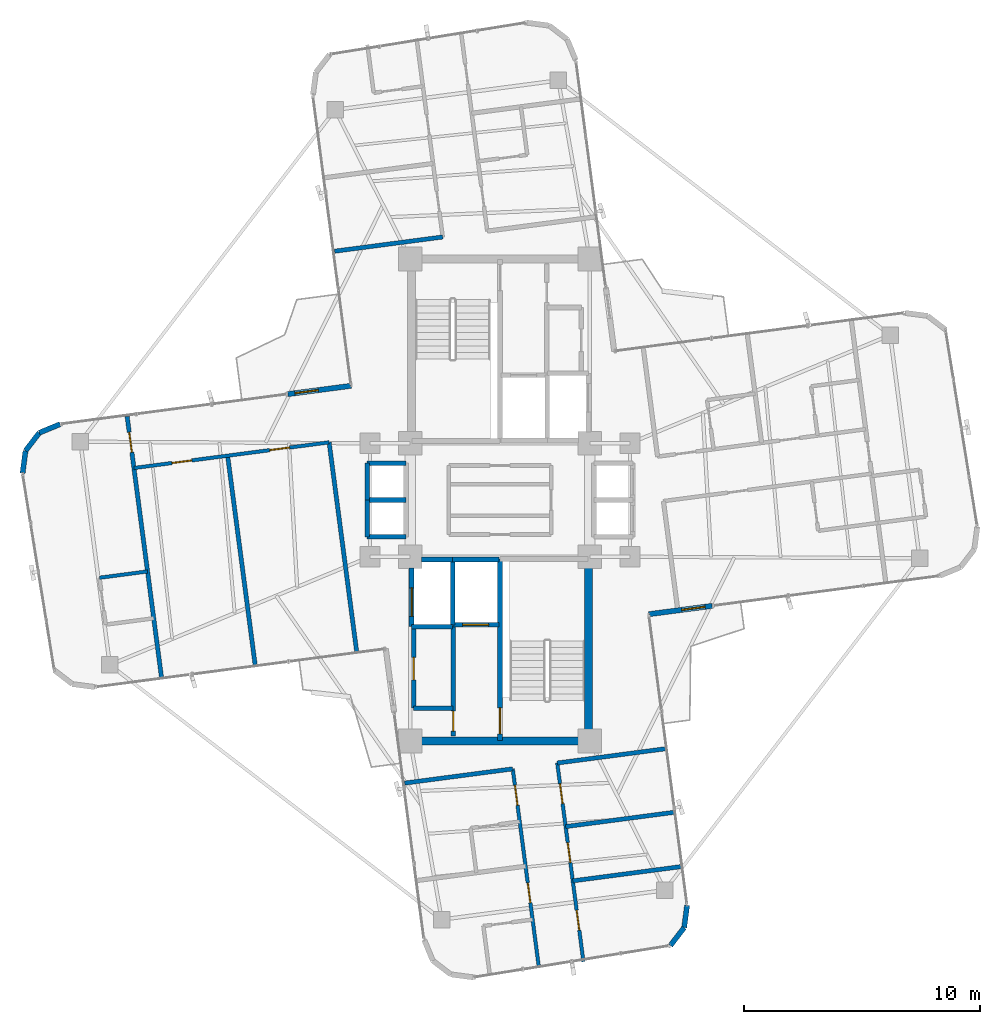
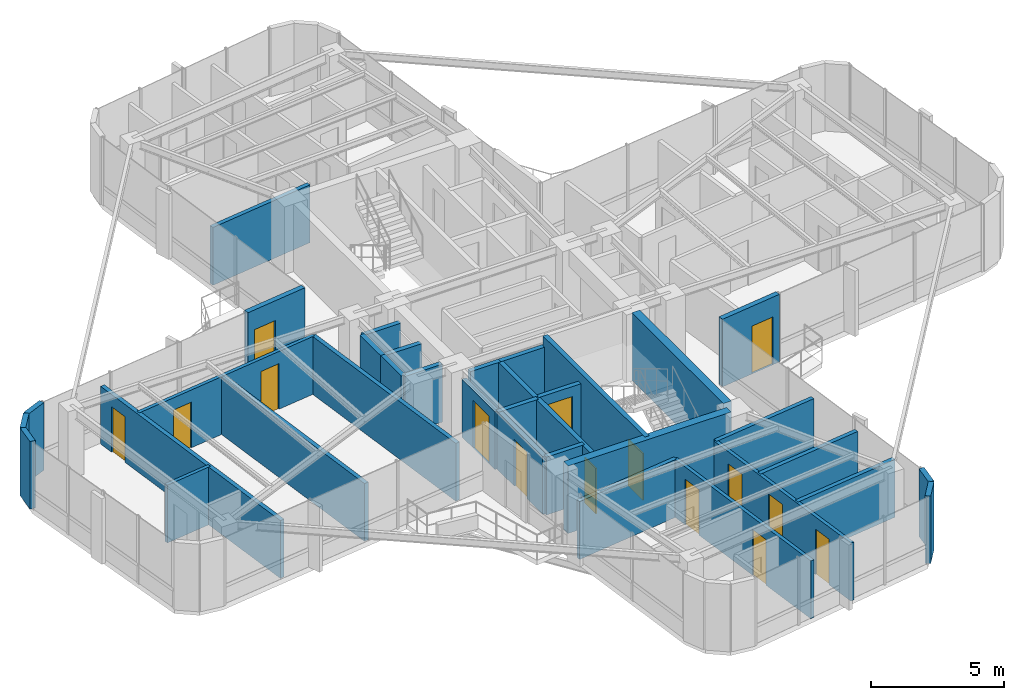
# One storey, part 19 of 22: 36 walls, 15 doors, 15 openings.
"""IFC4 building model written with IfcOpenShell, lengths in metres."""

from ifc_helpers import new_model, si_unit, direction, frame, frame_2d, origin, origin_2d, place, context, subcontext, project, spatial, rectangle, extrude, source, transform, mapped, material, layer, layer_set, type_object, element, fill, save


model = new_model("IFC4")

# Units and contexts
model_context = context("Model", 3, precision=1e-05, world=origin(), true_north=direction((0.0, 1.0)))
body_context = subcontext(model_context, "Body", "Model", "MODEL_VIEW")
ifc_project = project(units=[si_unit("LENGTHUNIT", "METRE"), si_unit("AREAUNIT", "SQUARE_METRE"), si_unit("VOLUMEUNIT", "CUBIC_METRE"), si_unit("PLANEANGLEUNIT", "RADIAN"), si_unit("MASSUNIT", "GRAM", prefix="KILO")], contexts=[model_context])

# Site, building, storey
site_placement = place(None, origin())
site = spatial("IfcSite", under=ifc_project, at=site_placement, CompositionType="ELEMENT")
building_placement = place(site_placement, origin())
building = spatial("IfcBuilding", under=site, at=building_placement, Name="Sahyath Konkavel Grand Hotel", CompositionType="ELEMENT")
storey_placement = place(building_placement, frame((0.0, 0.0, 247.85009765625)))
storey = spatial("IfcBuildingStorey", under=building, at=storey_placement, Name="L69", CompositionType="ELEMENT", Elevation=247.85009765625)

# Walls
ifc_material_1 = material(Name="Concrete C40/50", Category="concrete")
ifc_layer_1 = layer(ifc_material_1, 0.35009765625)
ifc_layer_set_1 = layer_set([ifc_layer_1], Name="Concrete C40/50")
wall_type_1 = type_object("IfcWallType", Name="CWALL-350", PredefinedType="SHEAR", material=ifc_layer_set_1)
wall_1_placement = place(storey_placement, frame((-3.550048828125, -10.199951171875, 0.0), z_axis=(0.0, 0.0, 1.0), x_axis=(1.0, 0.0, 0.0)))
element("IfcWall", 1, at=wall_1_placement, inside=storey, type_object=wall_type_1, Name="L69 South Core Shear Wall S", PredefinedType="SHEAR", context=body_context, shape_type="SweptSolid", body=[
    extrude(rectangle(XDim=7.10009765625, YDim=0.35009765625, at=frame_2d((3.550048828125, 0.0))), origin(), (0.0, 0.0, 1.0), 3.10986328125),
])
wall_2_placement = place(storey_placement, frame((3.739990234375, -9.75, 0.0), z_axis=(0.0, 0.0, 1.0), x_axis=(0.0, 1.0, 0.0)))
element("IfcWall", 2, at=wall_2_placement, inside=storey, type_object=wall_type_1, Name="L69 South Core Shear Wall E", PredefinedType="SHEAR", context=body_context, shape_type="SweptSolid", body=[
    extrude(rectangle(XDim=6.89990234375, YDim=0.35009765625, at=frame_2d((3.449951171875, 0.0))), origin(), (0.0, 0.0, 1.0), 3.10986328125),
])

# Wall, opening, door
ifc_material_2 = material(Name="Warm Buff Sandstone Insulated Concrete C40/50", Category="masonry")
ifc_layer_2 = layer(ifc_material_2, 0.219970703125)
ifc_layer_set_2 = layer_set([ifc_layer_2], Name="Warm Buff Sandstone Insulated Concrete C40/50")
wall_type_2 = type_object("IfcWallType", Name="WLL-BALC-THRESH", PredefinedType="STANDARD", material=ifc_layer_set_2)
wall_3_placement = place(storey_placement, frame((6.297607421875, -4.832275390625, 0.0), z_axis=(0.0, 0.0, 1.0), x_axis=(0.991451525486, 0.130475563272, 0.0)))
wall_3 = element("IfcWall", 3, at=wall_3_placement, inside=storey, type_object=wall_type_2, Name="L69 Winter-Garden Threshold Wall 0", PredefinedType="STANDARD", context=body_context, shape_type="SweptSolid", body=[
    extrude(rectangle(XDim=2.7001953125, YDim=0.219970703125, at=frame_2d((1.35009765625, 0.0))), origin(), (0.0, 0.0, 1.0), 3.10986328125),
])
opening_1_placement = place(wall_3_placement, frame((1.39990234375, 0.0, 0.0)))
opening_1 = element("IfcOpeningElement", 4, at=opening_1_placement, cuts=wall_3, Name="Opening D-TR1", PredefinedType="OPENING", context=body_context, shape_type="SweptSolid", body=[
    extrude(rectangle(XDim=1.0, YDim=2.199951171875, at=frame_2d((0.5, 1.10009765625))), frame((0.0, 0.1201171875, 0.0), z_axis=(0.0, -1.0, 0.0), x_axis=(1.0, 0.0, 0.0)), (0.0, 0.0, 1.0), 0.239990234375),
])
ifc_material_3 = material(Name="Anodised Bronze Aluminium & Low-E Glazing", Category="aluminium")
door_type_1 = type_object("IfcDoorType", Name="DR-TERRACE-1000", OperationType="NOTDEFINED", PredefinedType="DOOR", material=ifc_material_3)
shared_shape_1 = source(origin(), body_context, "Body", "SweptSolid", [
    extrude(rectangle(XDim=1.0, YDim=0.050048828125, at=origin_2d()), origin(), (0.0, 0.0, 1.0), 2.199951171875),
])
door_1_placement = place(opening_1_placement, frame((0.5, 0.0, 0.0)))
door_1 = element("IfcDoor", 5, at=door_1_placement, inside=storey, type_object=door_type_1, Name="L69 Winter-Garden Terrace Door 0", OperationType="SINGLE_SWING_LEFT", OverallHeight=2.199951171875, OverallWidth=1.0, PredefinedType="DOOR", context=body_context, shape_type="MappedRepresentation", body=[
    mapped(shared_shape_1, transform((0.0, 0.0, 0.0), scale=1.0)),
])
fill(opening_1, door_1)

wall_4_placement = place(storey_placement, frame((-6.297607421875, 4.832275390625, 0.0), z_axis=(0.0, 0.0, 1.0), x_axis=(-0.991451525486, -0.130475563272, 0.0)))
wall_4 = element("IfcWall", 6, at=wall_4_placement, inside=storey, type_object=wall_type_2, Name="L69 Winter-Garden Threshold Wall 16", PredefinedType="STANDARD", context=body_context, shape_type="SweptSolid", body=[
    extrude(rectangle(XDim=2.7001953125, YDim=0.219970703125, at=frame_2d((1.35009765625, 0.0))), origin(), (0.0, 0.0, 1.0), 3.10986328125),
])
opening_2_placement = place(wall_4_placement, frame((1.39990234375, 0.0, 0.0)))
opening_2 = element("IfcOpeningElement", 7, at=opening_2_placement, cuts=wall_4, Name="Opening D-TR1", PredefinedType="OPENING", context=body_context, shape_type="SweptSolid", body=[
    extrude(rectangle(XDim=1.0, YDim=2.199951171875, at=frame_2d((0.5, 1.10009765625))), frame((0.0, 0.1201171875, 0.0), z_axis=(0.0, -1.0, 0.0), x_axis=(1.0, 0.0, 0.0)), (0.0, 0.0, 1.0), 0.239990234375),
])
door_2_placement = place(opening_2_placement, frame((0.5, 0.0, 0.0)))
door_2 = element("IfcDoor", 8, at=door_2_placement, inside=storey, type_object=door_type_1, Name="L69 Winter-Garden Terrace Door 16", OperationType="SINGLE_SWING_LEFT", OverallHeight=2.199951171875, OverallWidth=1.0, PredefinedType="DOOR", context=body_context, shape_type="MappedRepresentation", body=[
    mapped(shared_shape_1, transform((0.0, 0.0, 0.0), scale=1.0)),
])
fill(opening_2, door_2)

# Walls
for number, where, z_axis, x_axis, name in (
    (9, (-18.6083984375, 3.211669921875, 0.0), (0.0, 0.0, 1.0), (-0.923889442397, -0.382659506909, 0.0), "L69 Rounded Corner Sandstone Pier 17"),
    (10, (-19.4931640625, 2.84521484375, 0.0), (0.0, 0.0, 1.0), (-0.608774010809, -0.793343685778, 0.0), "L69 Rounded Corner Sandstone Pier 18"),
    (11, (-20.076171875, 2.08544921875, 0.0), (0.0, 0.0, 1.0), (-0.130527053476, -0.991444747987, 0.0), "L69 Rounded Corner Sandstone Pier 19"),
    (12, (7.21044921875, -18.852294921875, 0.0), (0.0, 0.0, 1.0), (0.608774010809, 0.793343685778, 0.0), "L69 Rounded Corner Sandstone Pier 29"),
    (13, (7.79345703125, -18.092529296875, 0.0), (0.0, 0.0, 1.0), (0.130527053476, 0.991444747987, 0.0), "L69 Rounded Corner Sandstone Pier 30"),
):
    element("IfcWall", number, at=place(storey_placement, frame(where, z_axis=z_axis, x_axis=x_axis)), inside=storey, type_object=wall_type_2, Name=name, PredefinedType="STANDARD", context=body_context, shape_type="SweptSolid", body=[
        extrude(rectangle(XDim=0.957763671875, YDim=0.219970703125, at=frame_2d((0.47900390625, 0.0))), origin(), (0.0, 0.0, 1.0), 3.10986328125),
    ])

# Wall, opening, door
ifc_layer_3 = layer(ifc_material_1, 0.199951171875)
ifc_layer_set_3 = layer_set([ifc_layer_3], Name="Concrete C40/50")
wall_type_3 = type_object("IfcWallType", Name="WLL-CORE-200", PredefinedType="SOLIDWALL", material=ifc_layer_set_3)
wall_5_placement = place(storey_placement, frame((0.0, -10.179931640625, 0.0), z_axis=(0.0, 0.0, 1.0), x_axis=(0.0, 1.0, 0.0)))
wall_5 = element("IfcWall", 14, at=wall_5_placement, inside=storey, type_object=wall_type_3, Name="L69 Stair ST-2 Shaft Wall W", PredefinedType="SOLIDWALL", context=body_context, shape_type="SweptSolid", body=[
    extrude(rectangle(XDim=7.679931640625, YDim=0.199951171875, at=frame_2d((3.83984375, 0.0))), origin(), (0.0, 0.0, 1.0), 3.10986328125),
])
opening_3_placement = place(wall_5_placement, frame((0.280029296875, 0.0, 0.0)))
opening_3 = element("IfcOpeningElement", 15, at=opening_3_placement, cuts=wall_5, Name="Opening D-F12B", PredefinedType="OPENING", context=body_context, shape_type="SweptSolid", body=[
    extrude(rectangle(XDim=1.10009765625, YDim=2.14990234375, at=frame_2d((0.550048828125, 1.074951171875))), frame((0.0, 0.10986328125, 0.0), z_axis=(0.0, -1.0, 0.0), x_axis=(1.0, 0.0, 0.0)), (0.0, 0.0, 1.0), 0.219970703125),
])
ifc_material_4 = material(Name="Steel E350 Smokeproof Fire Door", Category="steel")
door_type_2 = type_object("IfcDoorType", Name="DR-FD120-1100", OperationType="NOTDEFINED", PredefinedType="DOOR", material=ifc_material_4)
shared_shape_2 = source(origin(), body_context, "Body", "SweptSolid", [
    extrude(rectangle(XDim=1.10009765625, YDim=0.050048828125, at=origin_2d()), origin(), (0.0, 0.0, 1.0), 2.14990234375),
])
door_3_placement = place(opening_3_placement, frame((0.550048828125, 0.0, 0.0)))
door_3 = element("IfcDoor", 16, at=door_3_placement, inside=storey, type_object=door_type_2, Name="L69 Stair ST-2 Fire Door", OperationType="SINGLE_SWING_RIGHT", OverallHeight=2.14990234375, OverallWidth=1.10009765625, PredefinedType="DOOR", context=body_context, shape_type="MappedRepresentation", body=[
    mapped(shared_shape_2, transform((0.0, 0.0, 0.0), scale=1.0)),
])
fill(opening_3, door_3)

wall_6_placement = place(storey_placement, frame((-1.97998046875, -9.97998046875, 0.0), z_axis=(0.0, 0.0, 1.0), x_axis=(0.0, 1.0, 0.0)))
wall_6 = element("IfcWall", 17, at=wall_6_placement, inside=storey, type_object=wall_type_3, Name="L69 South Firefighting Lobby Wall W", PredefinedType="SOLIDWALL", context=body_context, shape_type="SweptSolid", body=[
    extrude(rectangle(XDim=4.659912109375, YDim=0.199951171875, at=frame_2d((2.330078125, 0.0))), origin(), (0.0, 0.0, 1.0), 2.659912109375),
])
opening_4_placement = place(wall_6_placement, frame((0.199951171875, 0.0, 0.0)))
opening_4 = element("IfcOpeningElement", 18, at=opening_4_placement, cuts=wall_6, Name="Opening D-F12D", PredefinedType="OPENING", context=body_context, shape_type="SweptSolid", body=[
    extrude(rectangle(XDim=0.85009765625, YDim=2.10009765625, at=frame_2d((0.425048828125, 1.050048828125))), frame((0.0, 0.10986328125, 0.0), z_axis=(0.0, -1.0, 0.0), x_axis=(1.0, 0.0, 0.0)), (0.0, 0.0, 1.0), 0.219970703125),
])
ifc_material_5 = material(Name="Steel E350 Core Fire Door", Category="steel")
door_type_3 = type_object("IfcDoorType", Name="DR-FD120-850", OperationType="NOTDEFINED", PredefinedType="DOOR", material=ifc_material_5)
shared_shape_3 = source(origin(), body_context, "Body", "SweptSolid", [
    extrude(rectangle(XDim=0.85009765625, YDim=0.050048828125, at=origin_2d()), origin(), (0.0, 0.0, 1.0), 2.10009765625),
])
door_4_placement = place(opening_4_placement, frame((0.425048828125, 0.0, 0.0)))
door_4 = element("IfcDoor", 19, at=door_4_placement, inside=storey, type_object=door_type_3, Name="L69 South Firefighting Lobby Door", OperationType="SINGLE_SWING_RIGHT", OverallHeight=2.10009765625, OverallWidth=0.85009765625, PredefinedType="DOOR", context=body_context, shape_type="MappedRepresentation", body=[
    mapped(shared_shape_3, transform((0.0, 0.0, 0.0), scale=1.0)),
])
fill(opening_4, door_4)

# Walls
wall_7_placement = place(storey_placement, frame((-2.0, -5.280029296875, 0.0), z_axis=(0.0, 0.0, 1.0), x_axis=(0.0, 1.0, 0.0)))
element("IfcWall", 20, at=wall_7_placement, inside=storey, type_object=wall_type_3, Name="L69 Partition SH-FFL2-W", PredefinedType="SOLIDWALL", context=body_context, shape_type="SweptSolid", body=[
    extrude(rectangle(XDim=2.780029296875, YDim=0.199951171875, at=frame_2d((1.39013671875, 0.0))), origin(), (0.0, 0.0, 1.0), 2.659912109375),
])
wall_8_placement = place(storey_placement, frame((-2.0, -2.52001953125, 0.0), z_axis=(0.0, 0.0, 1.0), x_axis=(1.0, 0.0, 0.0)))
element("IfcWall", 21, at=wall_8_placement, inside=storey, type_object=wall_type_3, Name="L69 Partition SH-FFL2-N", PredefinedType="SOLIDWALL", context=body_context, shape_type="SweptSolid", body=[
    extrude(rectangle(XDim=1.949951171875, YDim=0.199951171875, at=frame_2d((0.97509765625, 0.0))), origin(), (0.0, 0.0, 1.0), 2.659912109375),
])

# Wall, opening, door
wall_9_placement = place(storey_placement, frame((-1.97998046875, -5.280029296875, 0.0), z_axis=(0.0, 0.0, 1.0), x_axis=(1.0, 0.0, 0.0)))
wall_9 = element("IfcWall", 22, at=wall_9_placement, inside=storey, type_object=wall_type_3, Name="L69 Partition SH-FFL2-S", PredefinedType="SOLIDWALL", context=body_context, shape_type="SweptSolid", body=[
    extrude(rectangle(XDim=1.929931640625, YDim=0.199951171875, at=frame_2d((0.96484375, 0.0))), origin(), (0.0, 0.0, 1.0), 2.659912109375),
])
opening_5_placement = place(wall_9_placement, frame((0.39990234375, 0.0, 0.0)))
opening_5 = element("IfcOpeningElement", 23, at=opening_5_placement, cuts=wall_9, Name="Opening LD-11", PredefinedType="OPENING", context=body_context, shape_type="SweptSolid", body=[
    extrude(rectangle(XDim=1.10009765625, YDim=2.199951171875, at=frame_2d((0.550048828125, 1.10009765625))), frame((0.0, 0.10986328125, 0.0), z_axis=(0.0, -1.0, 0.0), x_axis=(1.0, 0.0, 0.0)), (0.0, 0.0, 1.0), 0.219970703125),
])
ifc_material_6 = material(Name="Bronze Lift Landing Door 1100")
door_type_4 = type_object("IfcDoorType", Name="DR-LIFT-1100", OperationType="DOUBLE_DOOR_SLIDING", PredefinedType="DOOR", material=ifc_material_6)
shared_shape_4 = source(origin(), body_context, "Body", "SweptSolid", [
    extrude(rectangle(XDim=1.10009765625, YDim=0.050048828125, at=origin_2d()), origin(), (0.0, 0.0, 1.0), 2.199951171875),
])
door_5_placement = place(opening_5_placement, frame((0.550048828125, 0.0, 0.0)))
door_5 = element("IfcDoor", 24, at=door_5_placement, inside=storey, type_object=door_type_4, Name="L69 Lift FFL-2 Landing Door", OperationType="DOUBLE_DOOR_SLIDING", OverallHeight=2.199951171875, OverallWidth=1.10009765625, PredefinedType="DOOR", context=body_context, shape_type="MappedRepresentation", body=[
    mapped(shared_shape_4, transform((0.0, 0.0, 0.0), scale=1.0)),
])
fill(opening_5, door_5)

# Walls
wall_10_placement = place(storey_placement, frame((-3.320068359375, -2.52001953125, 0.0), z_axis=(0.0, 0.0, 1.0), x_axis=(1.0, 0.0, 0.0)))
element("IfcWall", 25, at=wall_10_placement, inside=storey, type_object=wall_type_3, Name="L69 Partition SH-SVL2-N", PredefinedType="SOLIDWALL", context=body_context, shape_type="SweptSolid", body=[
    extrude(rectangle(XDim=1.320068359375, YDim=0.199951171875, at=frame_2d((0.66015625, 0.0))), origin(), (0.0, 0.0, 1.0), 2.659912109375),
])
wall_11_placement = place(storey_placement, frame((-3.739990234375, -5.360107421875, 0.0), z_axis=(0.0, 0.0, 1.0), x_axis=(1.0, 0.0, 0.0)))
element("IfcWall", 26, at=wall_11_placement, inside=storey, type_object=wall_type_3, Name="L69 Partition SH-SVL2-S", PredefinedType="SOLIDWALL", context=body_context, shape_type="SweptSolid", body=[
    extrude(rectangle(XDim=1.739990234375, YDim=0.199951171875, at=frame_2d((0.8701171875, 0.0))), origin(), (0.0, 0.0, 1.0), 2.659912109375),
])

# Wall, opening, door
wall_12_placement = place(storey_placement, frame((-3.739990234375, -5.360107421875, 0.0), z_axis=(0.0, 0.0, 1.0), x_axis=(0.0, 1.0, 0.0)))
wall_12 = element("IfcWall", 27, at=wall_12_placement, inside=storey, type_object=wall_type_3, Name="L69 Partition SH-SVL2-W", PredefinedType="SOLIDWALL", context=body_context, shape_type="SweptSolid", body=[
    extrude(rectangle(XDim=2.480224609375, YDim=0.199951171875, at=frame_2d((1.240234375, 0.0))), origin(), (0.0, 0.0, 1.0), 2.659912109375),
])
opening_6_placement = place(wall_12_placement, frame((0.43994140625, 0.0, 0.0)))
opening_6 = element("IfcOpeningElement", 28, at=opening_6_placement, cuts=wall_12, Name="Opening LD-12", PredefinedType="OPENING", context=body_context, shape_type="SweptSolid", body=[
    extrude(rectangle(XDim=1.199951171875, YDim=2.199951171875, at=frame_2d((0.60009765625, 1.10009765625))), frame((0.0, 0.10986328125, 0.0), z_axis=(0.0, -1.0, 0.0), x_axis=(1.0, 0.0, 0.0)), (0.0, 0.0, 1.0), 0.219970703125),
])
ifc_material_7 = material(Name="Stainless Steel Lift Landing Door 1200", Category="steel")
door_type_5 = type_object("IfcDoorType", Name="DR-LIFT-1200", OperationType="DOUBLE_DOOR_SLIDING", PredefinedType="DOOR", material=ifc_material_7)
shared_shape_5 = source(origin(), body_context, "Body", "SweptSolid", [
    extrude(rectangle(XDim=1.199951171875, YDim=0.050048828125, at=origin_2d()), origin(), (0.0, 0.0, 1.0), 2.199951171875),
])
door_6_placement = place(opening_6_placement, frame((0.60009765625, 0.0, 0.0)))
door_6 = element("IfcDoor", 29, at=door_6_placement, inside=storey, type_object=door_type_5, Name="L69 Service Lift SVL-2 Landing Door", OperationType="DOUBLE_DOOR_SLIDING", OverallHeight=2.199951171875, OverallWidth=1.199951171875, PredefinedType="DOOR", context=body_context, shape_type="MappedRepresentation", body=[
    mapped(shared_shape_5, transform((0.0, 0.0, 0.0), scale=1.0)),
])
fill(opening_6, door_6)

# Walls
for number, where, z_axis, x_axis, name in (
    (30, (-5.6201171875, 1.56005859375, 0.0), (0.0, 0.0, 1.0), (1.0, 0.0, 0.0), "L69 Partition SH-SL12-N"),
    (31, (-5.6201171875, -1.56005859375, 0.0), (0.0, 0.0, 1.0), (1.0, 0.0, 0.0), "L69 Partition SH-SL12-S"),
    (32, (-5.6201171875, 0.0, 0.0), (0.0, 0.0, 1.0), (1.0, 0.0, 0.0), "L69 Partition SH-SL12-M"),
):
    element("IfcWall", number, at=place(storey_placement, frame(where, z_axis=z_axis, x_axis=x_axis)), inside=storey, type_object=wall_type_3, Name=name, PredefinedType="SOLIDWALL", context=body_context, shape_type="SweptSolid", body=[
        extrude(rectangle(XDim=1.64013671875, YDim=0.199951171875, at=frame_2d((0.820068359375, 0.0))), origin(), (0.0, 0.0, 1.0), 2.659912109375),
    ])
for number, where, z_axis, x_axis, name in (
    (33, (-5.6201171875, 0.0, 0.0), (0.0, 0.0, 1.0), (0.0, 1.0, 0.0), "L69 Partition SH-SL1-W"),
    (34, (-5.6201171875, -1.56005859375, 0.0), (0.0, 0.0, 1.0), (0.0, 1.0, 0.0), "L69 Partition SH-SL2-W"),
):
    element("IfcWall", number, at=place(storey_placement, frame(where, z_axis=z_axis, x_axis=x_axis)), inside=storey, type_object=wall_type_3, Name=name, PredefinedType="SOLIDWALL", context=body_context, shape_type="SweptSolid", body=[
        extrude(rectangle(XDim=1.56005859375, YDim=0.199951171875, at=frame_2d((0.780029296875, 0.0))), origin(), (0.0, 0.0, 1.0), 2.659912109375),
    ])

# Wall, opening, door
wall_13_placement = place(storey_placement, frame((-3.64990234375, -8.81005859375, 0.0), z_axis=(0.0, 0.0, 1.0), x_axis=(0.0, 1.0, 0.0)))
wall_13 = element("IfcWall", 35, at=wall_13_placement, inside=storey, type_object=wall_type_3, Name="L69 Reclaimed South Core Wall W", PredefinedType="SOLIDWALL", context=body_context, shape_type="SweptSolid", body=[
    extrude(rectangle(XDim=3.43017578125, YDim=0.199951171875, at=frame_2d((1.715087890625, 0.0))), origin(), (0.0, 0.0, 1.0), 2.659912109375),
])
opening_7_placement = place(wall_13_placement, frame((1.199951171875, 0.0, 0.0)))
opening_7 = element("IfcOpeningElement", 36, at=opening_7_placement, cuts=wall_13, Name="Opening D-AC95", PredefinedType="OPENING", context=body_context, shape_type="SweptSolid", body=[
    extrude(rectangle(XDim=0.949951171875, YDim=2.14990234375, at=frame_2d((0.47509765625, 1.074951171875))), frame((0.0, 0.10986328125, 0.0), z_axis=(0.0, -1.0, 0.0), x_axis=(1.0, 0.0, 0.0)), (0.0, 0.0, 1.0), 0.219970703125),
])
ifc_material_8 = material(Name="Accessible Washroom Timber Door", Category="wood")
door_type_6 = type_object("IfcDoorType", Name="DR-ACC-950", OperationType="NOTDEFINED", PredefinedType="DOOR", material=ifc_material_8)
shared_shape_6 = source(origin(), body_context, "Body", "SweptSolid", [
    extrude(rectangle(XDim=0.949951171875, YDim=0.050048828125, at=origin_2d()), origin(), (0.0, 0.0, 1.0), 2.14990234375),
])
door_7_placement = place(opening_7_placement, frame((0.47509765625, 0.0, 0.0)))
door_7 = element("IfcDoor", 37, at=door_7_placement, inside=storey, type_object=door_type_6, Name="L69 Door SC-REC1-D", OperationType="SINGLE_SWING_RIGHT", OverallHeight=2.14990234375, OverallWidth=0.949951171875, PredefinedType="DOOR", context=body_context, shape_type="MappedRepresentation", body=[
    mapped(shared_shape_6, transform((0.0, 0.0, 0.0), scale=1.0)),
])
fill(opening_7, door_7)

# Walls
wall_14_placement = place(storey_placement, frame((-3.64990234375, -8.81005859375, 0.0), z_axis=(0.0, 0.0, 1.0), x_axis=(1.0, 0.0, 0.0)))
element("IfcWall", 38, at=wall_14_placement, inside=storey, type_object=wall_type_3, Name="L69 Partition SC-REC-S", PredefinedType="SOLIDWALL", context=body_context, shape_type="SweptSolid", body=[
    extrude(rectangle(XDim=1.669921875, YDim=0.199951171875, at=frame_2d((0.8349609375, 0.0))), origin(), (0.0, 0.0, 1.0), 2.659912109375),
])
ifc_material_9 = material(Name="Twin-Stud Acoustic Gypsum Plasterboard Partition")
ifc_layer_4 = layer(ifc_material_9, 0.179931640625)
ifc_layer_set_4 = layer_set([ifc_layer_4], Name="Twin-Stud Acoustic Gypsum Plasterboard Partition")
wall_type_4 = type_object("IfcWallType", Name="WLL-DEMISE-180", PredefinedType="PARTITIONING", material=ifc_layer_set_4)
wall_15_placement = place(storey_placement, frame((-2.42333984375, 11.12890625, 0.0), z_axis=(0.0, 0.0, 1.0), x_axis=(-0.991446547774, -0.130513382096, 0.0)))
element("IfcWall", 39, at=wall_15_placement, inside=storey, type_object=wall_type_4, Name="L69 Partition N-INL", PredefinedType="PARTITIONING", context=body_context, shape_type="SweptSolid", body=[
    extrude(rectangle(XDim=4.613037109375, YDim=0.179931640625, at=frame_2d((2.306640625, 0.0))), origin(), (0.0, 0.0, 1.0), 2.659912109375),
])
wall_16_placement = place(storey_placement, frame((-7.23046875, 2.440185546875, 0.0), z_axis=(0.0, 0.0, 1.0), x_axis=(0.130549321022, -0.991441816135, 0.0)))
element("IfcWall", 40, at=wall_16_placement, inside=storey, type_object=wall_type_4, Name="L69 Partition W-G6I", PredefinedType="PARTITIONING", context=body_context, shape_type="SweptSolid", body=[
    extrude(rectangle(XDim=8.926025390625, YDim=0.179931640625, at=frame_2d((4.462890625, 0.0))), origin(), (0.0, 0.0, 1.0), 2.659912109375),
])
wall_17_placement = place(storey_placement, frame((-11.525390625, 1.874755859375, 0.0), z_axis=(0.0, 0.0, 1.0), x_axis=(0.13054578094, -0.991442282273, 0.0)))
element("IfcWall", 41, at=wall_17_placement, inside=storey, type_object=wall_type_4, Name="L69 Partition W-WSL6-DEM", PredefinedType="PARTITIONING", context=body_context, shape_type="SweptSolid", body=[
    extrude(rectangle(XDim=8.92626953125, YDim=0.179931640625, at=frame_2d((4.463134765625, 0.0))), origin(), (0.0, 0.0, 1.0), 2.659912109375),
])

# Wall, opening, door
wall_18_placement = place(storey_placement, frame((-15.7763671875, 3.533935546875, 0.0), z_axis=(0.0, 0.0, 1.0), x_axis=(0.130540791586, -0.991442939221, 0.0)))
wall_18 = element("IfcWall", 42, at=wall_18_placement, inside=storey, type_object=wall_type_4, Name="L69 Partition W-WTIP-END", PredefinedType="PARTITIONING", context=body_context, shape_type="SweptSolid", body=[
    extrude(rectangle(XDim=11.1259765625, YDim=0.179931640625, at=frame_2d((5.56298828125, 0.0))), origin(), (0.0, 0.0, 1.0), 2.659912109375),
])
opening_8_placement = place(wall_18_placement, frame((0.675048828125, 0.0, 0.0)))
opening_8 = element("IfcOpeningElement", 43, at=opening_8_placement, cuts=wall_18, Name="Opening D-F06D", PredefinedType="OPENING", context=body_context, shape_type="SweptSolid", body=[
    extrude(rectangle(XDim=0.85009765625, YDim=2.10009765625, at=frame_2d((0.425048828125, 1.050048828125))), frame((0.0, 0.10009765625, 0.0), z_axis=(0.0, -1.0, 0.0), x_axis=(1.0, 0.0, 0.0)), (0.0, 0.0, 1.0), 0.199951171875),
])
ifc_material_10 = material(Name="Fire-Rated Shaft Access Door")
door_type_7 = type_object("IfcDoorType", Name="DR-FD60-850", OperationType="NOTDEFINED", PredefinedType="DOOR", material=ifc_material_10)
door_8_placement = place(opening_8_placement, frame((0.425048828125, 0.0, 0.0)))
door_8 = element("IfcDoor", 44, at=door_8_placement, inside=storey, type_object=door_type_7, Name="L69 Door W-WTIP-ED", OperationType="SINGLE_SWING_LEFT", OverallHeight=2.10009765625, OverallWidth=0.85009765625, PredefinedType="DOOR", context=body_context, shape_type="MappedRepresentation", body=[
    mapped(shared_shape_3, transform((0.0, 0.0, 0.0), scale=1.0)),
])
fill(opening_8, door_8)

# Walls
for number, where, z_axis, x_axis, name in (
    (45, (2.42333984375, -11.12890625, 0.0), (0.0, 0.0, 1.0), (0.991446547774, 0.130513382096, 0.0), "L69 Partition S-INL"),
    (46, (-4.033935546875, -11.97900390625, 0.0), (0.0, 0.0, 1.0), (0.991446547774, 0.130513382096, 0.0), "L69 Partition S-INR"),
    (47, (2.777587890625, -13.819580078125, 0.0), (0.0, 0.0, 1.0), (0.991446547774, 0.130513382096, 0.0), "L69 Partition S-S1L-DEM"),
    (48, (3.079833984375, -16.115966796875, 0.0), (0.0, 0.0, 1.0), (0.991439698101, 0.130565405179, 0.0), "L69 Partition S-S2L-DEM"),
):
    element("IfcWall", number, at=place(storey_placement, frame(where, z_axis=z_axis, x_axis=x_axis)), inside=storey, type_object=wall_type_4, Name=name, PredefinedType="PARTITIONING", context=body_context, shape_type="SweptSolid", body=[
        extrude(rectangle(XDim=4.613037109375, YDim=0.179931640625, at=frame_2d((2.306640625, 0.0))), origin(), (0.0, 0.0, 1.0), 2.659912109375),
    ])

# Wall, openings, doors
ifc_material_11 = material(Name="Fire-Rated Gypsum Plasterboard Partition")
ifc_layer_5 = layer(ifc_material_11, 0.14990234375)
ifc_layer_set_5 = layer_set([ifc_layer_5], Name="Fire-Rated Gypsum Plasterboard Partition")
wall_type_5 = type_object("IfcWallType", Name="WLL-PART-150", PredefinedType="PARTITIONING", material=ifc_layer_set_5)
wall_19_placement = place(storey_placement, frame((-7.23046875, 2.440185546875, 0.0), z_axis=(0.0, 0.0, 1.0), x_axis=(-0.991442619765, -0.130543217797, 0.0)))
wall_19 = element("IfcWall", 49, at=wall_19_placement, inside=storey, type_object=wall_type_5, Name="L69 Partition W-G6W", PredefinedType="PARTITIONING", context=body_context, shape_type="SweptSolid", body=[
    extrude(rectangle(XDim=8.329833984375, YDim=0.14990234375, at=frame_2d((4.1650390625, 0.0))), origin(), (0.0, 0.0, 1.0), 2.659912109375),
])
opening_9_placement = place(wall_19_placement, frame((1.69091796875, 0.0, 0.0)))
opening_9 = element("IfcOpeningElement", 50, at=opening_9_placement, cuts=wall_19, Name="Opening D-F06D", PredefinedType="OPENING", context=body_context, shape_type="SweptSolid", body=[
    extrude(rectangle(XDim=0.85009765625, YDim=2.10009765625, at=frame_2d((0.425048828125, 1.050048828125))), frame((0.0, 0.0849609375, 0.0), z_axis=(0.0, -1.0, 0.0), x_axis=(1.0, 0.0, 0.0)), (0.0, 0.0, 1.0), 0.169921875),
])
opening_10_placement = place(wall_19_placement, frame((5.85595703125, 0.0, 0.0)))
opening_10 = element("IfcOpeningElement", 51, at=opening_10_placement, cuts=wall_19, Name="Opening D-F06D", PredefinedType="OPENING", context=body_context, shape_type="SweptSolid", body=[
    extrude(rectangle(XDim=0.85009765625, YDim=2.10009765625, at=frame_2d((0.425048828125, 1.050048828125))), frame((0.0, 0.0849609375, 0.0), z_axis=(0.0, -1.0, 0.0), x_axis=(1.0, 0.0, 0.0)), (0.0, 0.0, 1.0), 0.169921875),
])
door_9_placement = place(opening_9_placement, frame((0.425048828125, 0.0, 0.0)))
door_9 = element("IfcDoor", 52, at=door_9_placement, inside=storey, type_object=door_type_7, Name="L69 Door W-WSL6-D", OperationType="SINGLE_SWING_RIGHT", OverallHeight=2.10009765625, OverallWidth=0.85009765625, PredefinedType="DOOR", context=body_context, shape_type="MappedRepresentation", body=[
    mapped(shared_shape_3, transform((0.0, 0.0, 0.0), scale=1.0)),
])
fill(opening_9, door_9)
door_10_placement = place(opening_10_placement, frame((0.425048828125, 0.0, 0.0)))
door_10 = element("IfcDoor", 53, at=door_10_placement, inside=storey, type_object=door_type_7, Name="L69 Door W-WD6-D", OperationType="SINGLE_SWING_LEFT", OverallHeight=2.10009765625, OverallWidth=0.85009765625, PredefinedType="DOOR", context=body_context, shape_type="MappedRepresentation", body=[
    mapped(shared_shape_3, transform((0.0, 0.0, 0.0), scale=1.0)),
])
fill(opening_10, door_10)

# Wall
wall_20_placement = place(storey_placement, frame((-14.9130859375, -3.0224609375, 0.0), z_axis=(0.0, 0.0, 1.0), x_axis=(-0.991444969909, -0.13052536781, 0.0)))
element("IfcWall", 54, at=wall_20_placement, inside=storey, type_object=wall_type_5, Name="L69 Partition W-WTIP-BS", PredefinedType="PARTITIONING", context=body_context, shape_type="SweptSolid", body=[
    extrude(rectangle(XDim=2.050048828125, YDim=0.14990234375, at=frame_2d((1.02490234375, 0.0))), origin(), (0.0, 0.0, 1.0), 2.659912109375),
])

# Wall, openings, doors
wall_21_placement = place(storey_placement, frame((2.42333984375, -11.12890625, 0.0), z_axis=(0.0, 0.0, 1.0), x_axis=(0.130534199314, -0.991443807187, 0.0)))
wall_21 = element("IfcWall", 55, at=wall_21_placement, inside=storey, type_object=wall_type_5, Name="L69 Partition S-CL", PredefinedType="PARTITIONING", context=body_context, shape_type="SweptSolid", body=[
    extrude(rectangle(XDim=8.47998046875, YDim=0.14990234375, at=frame_2d((4.239990234375, 0.0))), origin(), (0.0, 0.0, 1.0), 2.659912109375),
])
opening_11_placement = place(wall_21_placement, frame((0.882080078125, 0.0, 0.0)))
opening_11 = element("IfcOpeningElement", 56, at=opening_11_placement, cuts=wall_21, Name="Opening D-F06D", PredefinedType="OPENING", context=body_context, shape_type="SweptSolid", body=[
    extrude(rectangle(XDim=0.85009765625, YDim=2.10009765625, at=frame_2d((0.425048828125, 1.050048828125))), frame((0.0, 0.0849609375, 0.0), z_axis=(0.0, -1.0, 0.0), x_axis=(1.0, 0.0, 0.0)), (0.0, 0.0, 1.0), 0.169921875),
])
opening_12_placement = place(wall_21_placement, frame((3.39697265625, 0.0, 0.0)))
opening_12 = element("IfcOpeningElement", 57, at=opening_12_placement, cuts=wall_21, Name="Opening D-F06D", PredefinedType="OPENING", context=body_context, shape_type="SweptSolid", body=[
    extrude(rectangle(XDim=0.85009765625, YDim=2.10009765625, at=frame_2d((0.425048828125, 1.050048828125))), frame((0.0, 0.0849609375, 0.0), z_axis=(0.0, -1.0, 0.0), x_axis=(1.0, 0.0, 0.0)), (0.0, 0.0, 1.0), 0.169921875),
])
opening_13_placement = place(wall_21_placement, frame((6.280029296875, 0.0, 0.0)))
opening_13 = element("IfcOpeningElement", 58, at=opening_13_placement, cuts=wall_21, Name="Opening D-F06D", PredefinedType="OPENING", context=body_context, shape_type="SweptSolid", body=[
    extrude(rectangle(XDim=0.85009765625, YDim=2.10009765625, at=frame_2d((0.425048828125, 1.050048828125))), frame((0.0, 0.0849609375, 0.0), z_axis=(0.0, -1.0, 0.0), x_axis=(1.0, 0.0, 0.0)), (0.0, 0.0, 1.0), 0.169921875),
])
door_11_placement = place(opening_11_placement, frame((0.425048828125, 0.0, 0.0)))
door_11 = element("IfcDoor", 59, at=door_11_placement, inside=storey, type_object=door_type_7, Name="L69 Door S-S1L-D", OperationType="SINGLE_SWING_RIGHT", OverallHeight=2.10009765625, OverallWidth=0.85009765625, PredefinedType="DOOR", context=body_context, shape_type="MappedRepresentation", body=[
    mapped(shared_shape_3, transform((0.0, 0.0, 0.0), scale=1.0)),
])
fill(opening_11, door_11)
door_12_placement = place(opening_12_placement, frame((0.425048828125, 0.0, 0.0)))
door_12 = element("IfcDoor", 60, at=door_12_placement, inside=storey, type_object=door_type_7, Name="L69 Door S-S2L-D", OperationType="SINGLE_SWING_LEFT", OverallHeight=2.10009765625, OverallWidth=0.85009765625, PredefinedType="DOOR", context=body_context, shape_type="MappedRepresentation", body=[
    mapped(shared_shape_3, transform((0.0, 0.0, 0.0), scale=1.0)),
])
fill(opening_12, door_12)
door_13_placement = place(opening_13_placement, frame((0.425048828125, 0.0, 0.0)))
door_13 = element("IfcDoor", 61, at=door_13_placement, inside=storey, type_object=door_type_7, Name="L69 Door S-S3L-D", OperationType="SINGLE_SWING_RIGHT", OverallHeight=2.10009765625, OverallWidth=0.85009765625, PredefinedType="DOOR", context=body_context, shape_type="MappedRepresentation", body=[
    mapped(shared_shape_3, transform((0.0, 0.0, 0.0), scale=1.0)),
])
fill(opening_13, door_13)

wall_22_placement = place(storey_placement, frame((0.53955078125, -11.376953125, 0.0), z_axis=(0.0, 0.0, 1.0), x_axis=(0.130534199314, -0.991443807187, 0.0)))
wall_22 = element("IfcWall", 62, at=wall_22_placement, inside=storey, type_object=wall_type_5, Name="L69 Partition S-CR", PredefinedType="PARTITIONING", context=body_context, shape_type="SweptSolid", body=[
    extrude(rectangle(XDim=8.47998046875, YDim=0.14990234375, at=frame_2d((4.239990234375, 0.0))), origin(), (0.0, 0.0, 1.0), 2.659912109375),
])
opening_14_placement = place(wall_22_placement, frame((0.699951171875, 0.0, 0.0)))
opening_14 = element("IfcOpeningElement", 63, at=opening_14_placement, cuts=wall_22, Name="Opening D-F06D", PredefinedType="OPENING", context=body_context, shape_type="SweptSolid", body=[
    extrude(rectangle(XDim=0.85009765625, YDim=2.10009765625, at=frame_2d((0.425048828125, 1.050048828125))), frame((0.0, 0.0849609375, 0.0), z_axis=(0.0, -1.0, 0.0), x_axis=(1.0, 0.0, 0.0)), (0.0, 0.0, 1.0), 0.169921875),
])
opening_15_placement = place(wall_22_placement, frame((4.867919921875, 0.0, 0.0)))
opening_15 = element("IfcOpeningElement", 64, at=opening_15_placement, cuts=wall_22, Name="Opening D-F06D", PredefinedType="OPENING", context=body_context, shape_type="SweptSolid", body=[
    extrude(rectangle(XDim=0.85009765625, YDim=2.10009765625, at=frame_2d((0.425048828125, 1.050048828125))), frame((0.0, 0.0849609375, 0.0), z_axis=(0.0, -1.0, 0.0), x_axis=(1.0, 0.0, 0.0)), (0.0, 0.0, 1.0), 0.169921875),
])
door_14_placement = place(opening_14_placement, frame((0.425048828125, 0.0, 0.0)))
door_14 = element("IfcDoor", 65, at=door_14_placement, inside=storey, type_object=door_type_7, Name="L69 Door S-S1R-ED", OperationType="SINGLE_SWING_RIGHT", OverallHeight=2.10009765625, OverallWidth=0.85009765625, PredefinedType="DOOR", context=body_context, shape_type="MappedRepresentation", body=[
    mapped(shared_shape_3, transform((0.0, 0.0, 0.0), scale=1.0)),
])
fill(opening_14, door_14)
door_15_placement = place(opening_15_placement, frame((0.425048828125, 0.0, 0.0)))
door_15 = element("IfcDoor", 66, at=door_15_placement, inside=storey, type_object=door_type_7, Name="L69 Door S-S2R-ED", OperationType="SINGLE_SWING_RIGHT", OverallHeight=2.10009765625, OverallWidth=0.85009765625, PredefinedType="DOOR", context=body_context, shape_type="MappedRepresentation", body=[
    mapped(shared_shape_3, transform((0.0, 0.0, 0.0), scale=1.0)),
])
fill(opening_15, door_15)

save(model, "model.ifc")
